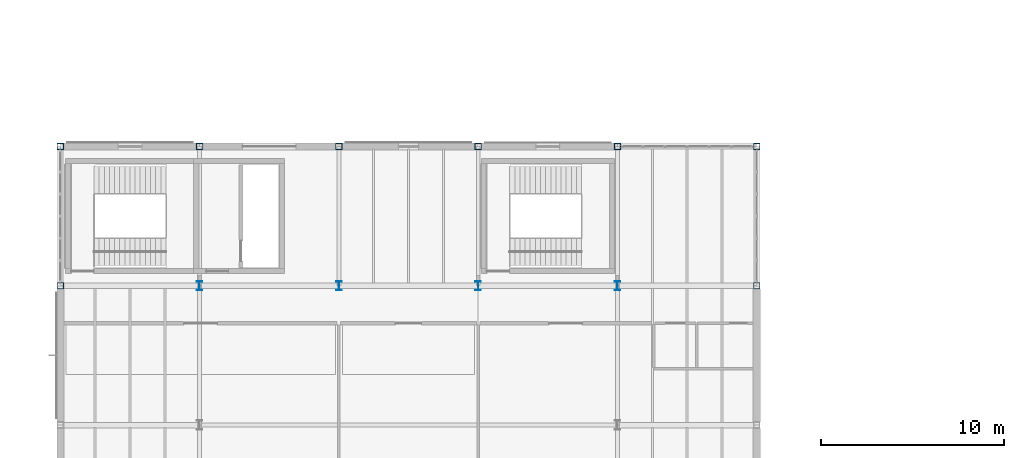
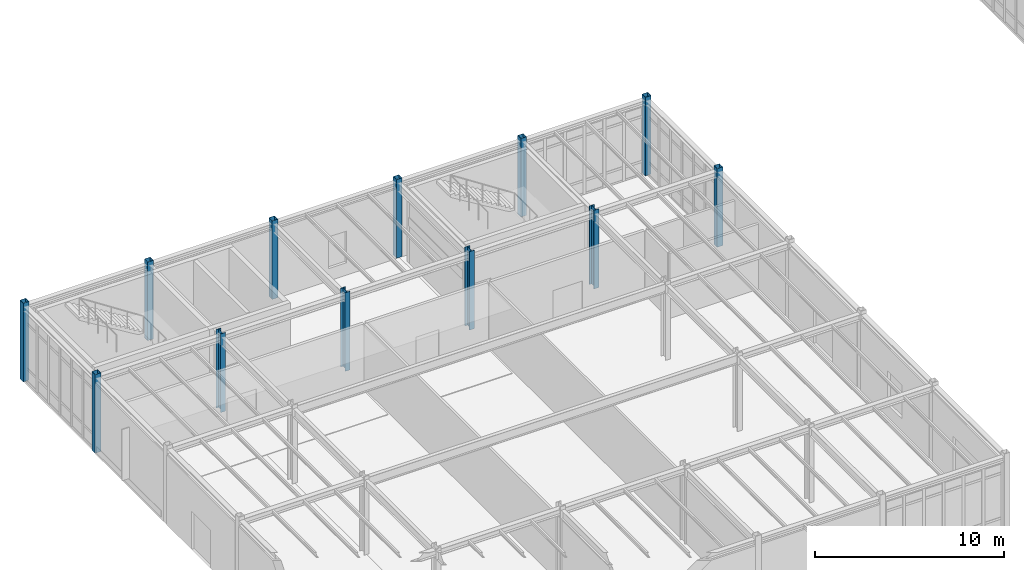
# One storey, part 15 of 109: 12 columns.
"""IFC4 building model written with IfcOpenShell, lengths in metres."""

from ifc_helpers import new_model, si_unit, direction, frame, origin, origin_2d, place, context, subcontext, project, spatial, hollow_rectangle, i_section, extrude, material, material_profile, profile_set, type_object, element, save


model = new_model("IFC4")

# Units and contexts
model_context = context("Model", 3, precision=1e-05, world=origin(), true_north=direction((0.0, 1.0)))
body_context = subcontext(model_context, "Body", "Model", "MODEL_VIEW")
ifc_project = project(units=[si_unit("LENGTHUNIT", "METRE"), si_unit("AREAUNIT", "SQUARE_METRE"), si_unit("VOLUMEUNIT", "CUBIC_METRE"), si_unit("PLANEANGLEUNIT", "RADIAN"), si_unit("MASSUNIT", "GRAM", prefix="KILO")], contexts=[model_context])

# Site, building, storey
site_placement = place(None, origin())
site = spatial("IfcSite", under=ifc_project, at=site_placement, CompositionType="ELEMENT")
building_placement = place(site_placement, origin())
building = spatial("IfcBuilding", under=site, at=building_placement, Name="Montecoro Central Library", CompositionType="ELEMENT")
storey_placement = place(building_placement, origin())
storey = spatial("IfcBuildingStorey", under=building, at=storey_placement, Name="L00", CompositionType="ELEMENT", Elevation=0.0)

# Columns
ifc_material = material(Name="Steel S355J2", Category="steel")
ifc_material_profile_1 = material_profile(ifc_material, i_section(OverallWidth=0.300048828125, OverallDepth=0.5, WebThickness=0.014404296875, FlangeThickness=0.028076171875, at=origin_2d()), Name="HEB 500")
ifc_profile_set_1 = profile_set([ifc_material_profile_1], Name="Steel S355J2")
column_type_1 = type_object("IfcColumnType", Name="COL-HEB500", PredefinedType="COLUMN", material=ifc_profile_set_1)
for number, where, z_axis, x_axis, name in (
    (1, (12.60009765625, 103.800048828125, 0.0), (0.0, 0.0, 1.0), (1.0, 0.0, 0.0), "V4-L00-COL-2-P"),
    (2, (20.199951171875, 103.800048828125, 0.0), (0.0, 0.0, 1.0), (1.0, 0.0, 0.0), "V4-L00-COL-3-P"),
    (3, (27.800048828125, 103.800048828125, 0.0), (0.0, 0.0, 1.0), (1.0, 0.0, 0.0), "V4-L00-COL-4-P"),
    (4, (35.39990234375, 103.800048828125, 0.0), (0.0, 0.0, 1.0), (1.0, 0.0, 0.0), "V4-L00-COL-5-P"),
):
    element("IfcColumn", number, at=place(storey_placement, frame(where, z_axis=z_axis, x_axis=x_axis)), inside=storey, type_object=column_type_1, Name=name, PredefinedType="COLUMN", context=body_context, shape_type="SweptSolid", body=[
        extrude(i_section(OverallWidth=0.300048828125, OverallDepth=0.5, WebThickness=0.014404296875, FlangeThickness=0.028076171875, at=origin_2d()), origin(), (0.0, 0.0, 1.0), 5.074951171875),
    ])
ifc_material_profile_2 = material_profile(ifc_material, hollow_rectangle(XDim=0.35009765625, YDim=0.35009765625, WallThickness=0.01416015625, at=origin_2d()), Name="SHS 350x350x14.2")
ifc_profile_set_2 = profile_set([ifc_material_profile_2], Name="Steel S355J2")
column_type_2 = type_object("IfcColumnType", Name="COL-SHS350", PredefinedType="COLUMN", material=ifc_profile_set_2)
for number, where, z_axis, x_axis, name in (
    (5, (5.0, 103.800048828125, 0.0), (0.0, 0.0, 1.0), (1.0, 0.0, 0.0), "V4-L00-COL-1-P"),
    (6, (5.0, 111.39990234375, 0.0), (0.0, 0.0, 1.0), (1.0, 0.0, 0.0), "V4-L00-COL-1-Q"),
    (7, (12.60009765625, 111.39990234375, 0.0), (0.0, 0.0, 1.0), (1.0, 0.0, 0.0), "V4-L00-COL-2-Q"),
    (8, (20.199951171875, 111.39990234375, 0.0), (0.0, 0.0, 1.0), (1.0, 0.0, 0.0), "V4-L00-COL-3-Q"),
    (9, (27.800048828125, 111.39990234375, 0.0), (0.0, 0.0, 1.0), (1.0, 0.0, 0.0), "V4-L00-COL-4-Q"),
    (10, (35.39990234375, 111.39990234375, 0.0), (0.0, 0.0, 1.0), (1.0, 0.0, 0.0), "V4-L00-COL-5-Q"),
    (11, (43.0, 103.800048828125, 0.0), (0.0, 0.0, 1.0), (1.0, 0.0, 0.0), "V4-L00-COL-6-P"),
    (12, (43.0, 111.39990234375, 0.0), (0.0, 0.0, 1.0), (1.0, 0.0, 0.0), "V4-L00-COL-6-Q"),
):
    element("IfcColumn", number, at=place(storey_placement, frame(where, z_axis=z_axis, x_axis=x_axis)), inside=storey, type_object=column_type_2, Name=name, PredefinedType="COLUMN", context=body_context, shape_type="SweptSolid", body=[
        extrude(hollow_rectangle(XDim=0.35009765625, YDim=0.35009765625, WallThickness=0.01416015625, at=origin_2d()), origin(), (0.0, 0.0, 1.0), 5.074951171875),
    ])

save(model, "model.ifc")
